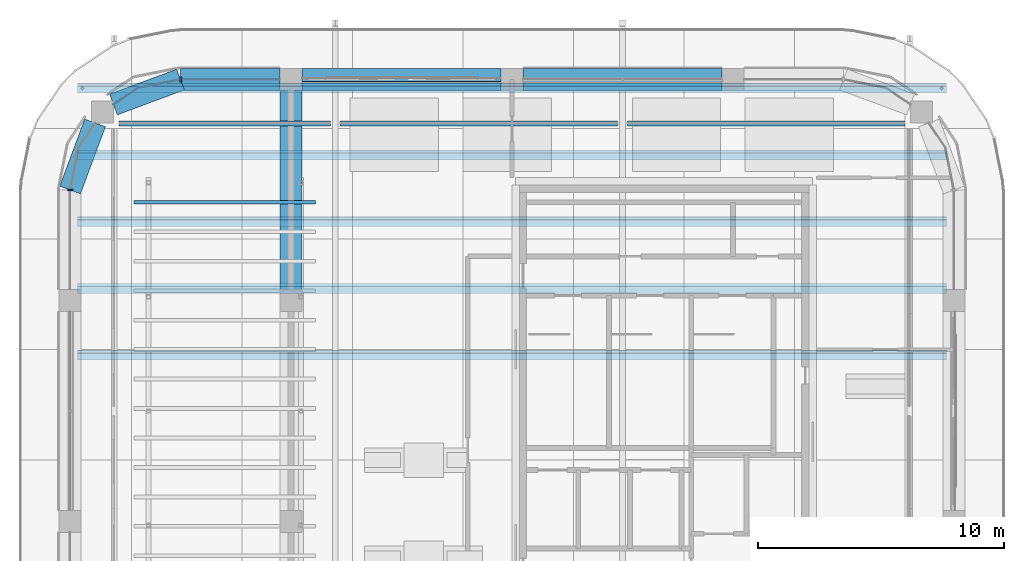
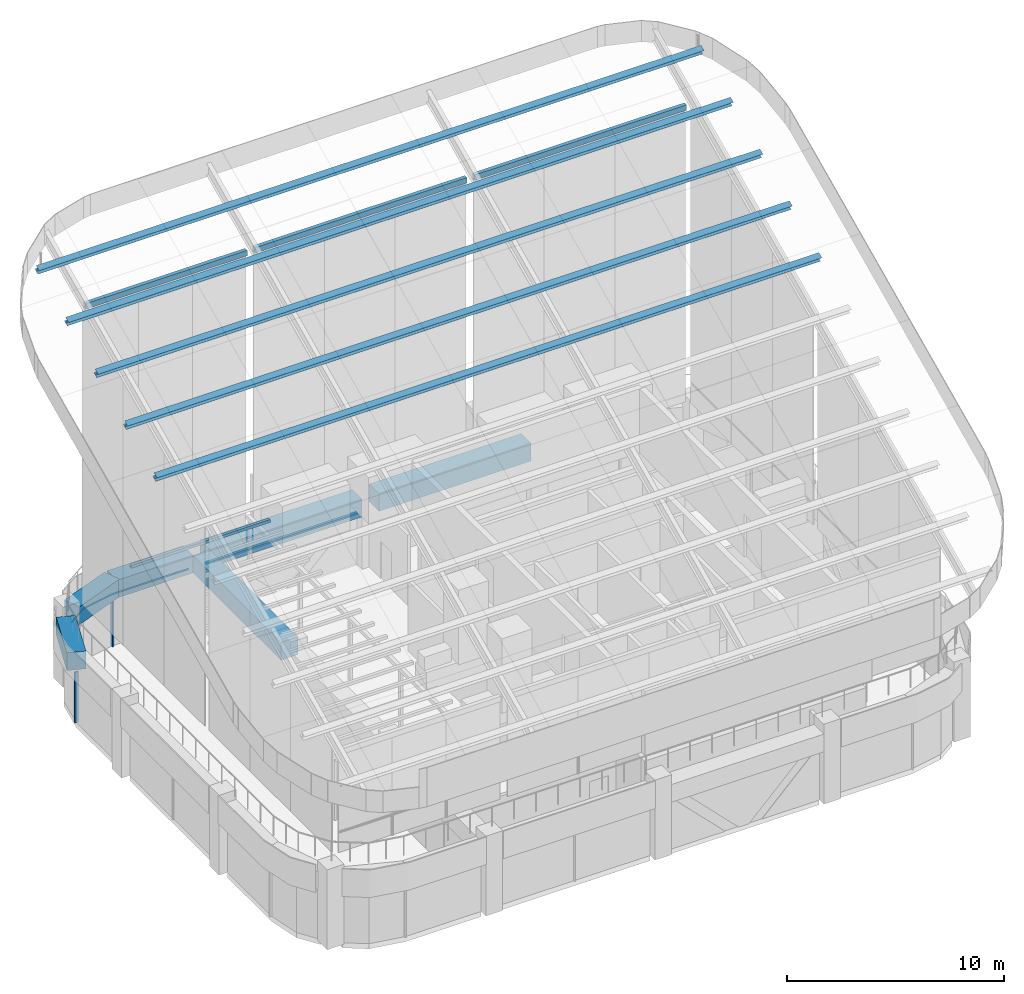
# One storey, part 15 of 31: 10 members, 9 beams, 3 elements without a shape of their own.
"""IFC4 building model written with IfcOpenShell, lengths in metres."""

from ifc_helpers import new_model, si_unit, direction, frame, origin, origin_2d, place, context, subcontext, project, spatial, polyline, rectangle, hollow_rectangle, i_section, outline, extrude, material, material_profile, profile_set, type_object, element, aggregate, save


model = new_model("IFC4")

# Units and contexts
model_context = context("Model", 3, precision=1e-05, world=origin(), true_north=direction((0.0, 1.0)))
body_context = subcontext(model_context, "Body", "Model", "MODEL_VIEW")
ifc_project = project(units=[si_unit("LENGTHUNIT", "METRE"), si_unit("AREAUNIT", "SQUARE_METRE"), si_unit("VOLUMEUNIT", "CUBIC_METRE"), si_unit("PLANEANGLEUNIT", "RADIAN"), si_unit("MASSUNIT", "GRAM", prefix="KILO")], contexts=[model_context])

# Site, building, storey
site_placement = place(None, origin())
site = spatial("IfcSite", under=ifc_project, at=site_placement, CompositionType="ELEMENT")
building_placement = place(site_placement, origin())
building = spatial("IfcBuilding", under=site, at=building_placement, Name="Tessera Arch", CompositionType="ELEMENT")
storey_placement = place(building_placement, frame((0.0, 0.0, 320.699951171875)))
storey = spatial("IfcBuildingStorey", under=building, at=storey_placement, Name="L77", CompositionType="ELEMENT", Elevation=320.699951171875)

# Curtain wall, member
ifc_material_1 = material(Name="CW2 curtain wall")
curtain_wall_type_1 = type_object("IfcCurtainWallType", Name="CW2 curtain wall", PredefinedType="NOTDEFINED", material=ifc_material_1)
curtain_wall_1_placement = place(storey_placement, origin())
curtain_wall_1 = element("IfcCurtainWall", 1, at=curtain_wall_1_placement, inside=storey, type_object=curtain_wall_type_1, Name="CW2 curtain wall N54.18/3 L77", PredefinedType="NOTDEFINED")
ifc_material_2 = material(Name="Anodised aluminium pale metal", Category="aluminium")
ifc_material_profile_1 = material_profile(ifc_material_2, rectangle(XDim=0.199951171875, YDim=0.080078125, at=origin_2d()), Name="AL 80x200")
ifc_profile_set_1 = profile_set([ifc_material_profile_1], Name="Anodised aluminium pale metal")
member_type_1 = type_object("IfcMemberType", Name="CW2 mullion", PredefinedType="MULLION", material=ifc_profile_set_1)
member_1_placement = place(storey_placement, frame((22.5, 54.0, 0.0), z_axis=(0.0, 0.0, 1.0), x_axis=(0.0, -1.0, 0.0)))
member_1 = element("IfcMember", 2, at=member_1_placement, type_object=member_type_1, Name="CW2 mullion N54.18/3 1", PredefinedType="MULLION", context=body_context, shape_type="SweptSolid", body=[
    extrude(rectangle(XDim=0.199951171875, YDim=0.080078125, at=origin_2d()), origin(), (0.0, 0.0, 1.0), 2.85009765625),
])

curtain_wall_2_placement = place(storey_placement, origin())
curtain_wall_2 = element("IfcCurtainWall", 3, at=curtain_wall_2_placement, inside=storey, type_object=curtain_wall_type_1, Name="CW2 curtain wall W18.27/0 L77", PredefinedType="NOTDEFINED")
member_2_placement = place(storey_placement, frame((18.0, 49.5, 0.0), z_axis=(0.0, 0.0, 1.0), x_axis=(1.0, 0.0, 0.0)))
member_2 = element("IfcMember", 4, at=member_2_placement, type_object=member_type_1, Name="CW2 mullion W18.27/0 1", PredefinedType="MULLION", context=body_context, shape_type="SweptSolid", body=[
    extrude(rectangle(XDim=0.199951171875, YDim=0.080078125, at=origin_2d()), origin(), (0.0, 0.0, 1.0), 2.85009765625),
])
aggregate(curtain_wall_2, [member_2])

# Member
ifc_material_3 = material(Name="Anodised aluminium pale metal", Category="aluminium")
ifc_material_profile_2 = material_profile(ifc_material_3, rectangle(XDim=0.199951171875, YDim=0.10009765625, at=origin_2d()), Name="AL 200x100")
ifc_profile_set_2 = profile_set([ifc_material_profile_2], Name="Anodised aluminium pale metal")
member_type_2 = type_object("IfcMemberType", Name="CW2 transom", PredefinedType="USERDEFINED", material=ifc_profile_set_2)
member_3_placement = place(storey_placement, frame((0.0, 0.0, 2.85009765625)))
member_3 = element("IfcMember", 5, at=member_3_placement, type_object=member_type_2, Name="CW2 transom N54.18/3 1", ObjectType="TRANSOM", PredefinedType="USERDEFINED", context=body_context, shape_type="SweptSolid", body=[
    extrude(outline(polyline([(22.5009765625, 53.989990234375), (26.550048828125, 53.989990234375), (26.550048828125, 54.010009765625), (22.4990234375, 54.010009765625), (20.77392578125, 53.6669921875), (19.762451171875, 52.990966796875), (19.7734375, 52.974365234375), (20.78173828125, 53.648193359375), (22.5009765625, 53.989990234375)])), origin(), (0.0, 0.0, 1.0), 0.099853515625),
])

aggregate(curtain_wall_1, [member_1, member_3])

# Curtain wall, member
ifc_material_4 = material(Name="CW3 curtain wall")
curtain_wall_type_2 = type_object("IfcCurtainWallType", Name="CW3 curtain wall", PredefinedType="NOTDEFINED", material=ifc_material_4)
curtain_wall_3_placement = place(storey_placement, origin())
curtain_wall_3 = element("IfcCurtainWall", 6, at=curtain_wall_3_placement, inside=storey, type_object=curtain_wall_type_2, Name="CW3 curtain wall N54.18/2 L77", PredefinedType="NOTDEFINED")
ifc_material_5 = material(Name="Anodised aluminium pale metal", Category="aluminium")
ifc_material_profile_3 = material_profile(ifc_material_5, rectangle(XDim=0.139892578125, YDim=0.10009765625, at=origin_2d()), Name="AL 140x100")
ifc_profile_set_3 = profile_set([ifc_material_profile_3], Name="Anodised aluminium pale metal")
member_type_3 = type_object("IfcMemberType", Name="CW3 transom", PredefinedType="USERDEFINED", material=ifc_profile_set_3)
member_4_placement = place(storey_placement, frame((35.550048828125, 54.0, 2.900146484375), z_axis=(-1.0, 0.0, 0.0), x_axis=(0.0, -1.0, 0.0)))
member_4 = element("IfcMember", 7, at=member_4_placement, type_object=member_type_3, Name="CW3 transom N54.18/2 1.1", ObjectType="TRANSOM", PredefinedType="USERDEFINED", context=body_context, shape_type="SweptSolid", body=[
    extrude(rectangle(XDim=0.139892578125, YDim=0.10009765625, at=origin_2d()), origin(), (0.0, 0.0, 1.0), 8.10009765625),
])
aggregate(curtain_wall_3, [member_4])

# Members
ifc_material_6 = material(Name="Steel A992 Gr50", Category="steel")
ifc_material_profile_4 = material_profile(ifc_material_6, i_section(OverallWidth=0.3046875, OverallDepth=0.307861328125, WebThickness=0.010009765625, FlangeThickness=0.015380859375, at=origin_2d()), Name="W12x65")
ifc_profile_set_4 = profile_set([ifc_material_profile_4], Name="Steel A992 Gr50")
member_type_4 = type_object("IfcMemberType", Name="Canopy purlin W12x65", PredefinedType="PURLIN", material=ifc_profile_set_4)
for number, where, z_axis, x_axis, name in (
    (8, (18.300048828125, 42.77197265625, 17.7734375), (1.0, 0.0, 0.0), (0.0, 0.906307787037, 0.422618261741), "Canopy purlin 7"),
    (9, (18.300048828125, 45.49072265625, 19.04150390625), (1.0, 0.0, 0.0), (0.0, 0.906307787037, 0.422618261741), "Canopy purlin 8"),
    (10, (18.300048828125, 48.209716796875, 20.309326171875), (1.0, 0.0, 0.0), (0.0, 0.906307787037, 0.422618261741), "Canopy purlin 9"),
    (11, (18.300048828125, 50.9287109375, 21.5771484375), (1.0, 0.0, 0.0), (0.0, 0.906307787037, 0.422618261741), "Canopy purlin 10"),
    (12, (18.300048828125, 53.6474609375, 22.844970703125), (1.0, 0.0, 0.0), (0.0, 0.906307787037, 0.422618261741), "Canopy purlin 11"),
):
    element("IfcMember", number, at=place(storey_placement, frame(where, z_axis=z_axis, x_axis=x_axis)), inside=storey, type_object=member_type_4, Name=name, PredefinedType="PURLIN", context=body_context, shape_type="SweptSolid", body=[
        extrude(i_section(OverallWidth=0.3046875, OverallDepth=0.307861328125, WebThickness=0.010009765625, FlangeThickness=0.015380859375, at=origin_2d()), origin(), (0.0, 0.0, 1.0), 35.39990234375),
    ])

# Beams
ifc_material_7 = material(Name="Steel A500 Gr C", Category="steel")
ifc_material_profile_5 = material_profile(ifc_material_7, hollow_rectangle(XDim=0.203125, YDim=0.3046875, WallThickness=0.0087890625, at=origin_2d()), Name="HSS12x8x3/8")
ifc_profile_set_5 = profile_set([ifc_material_profile_5], Name="Steel A500 Gr C")
beam_type_1 = type_object("IfcBeamType", Name="Crown ring beam HSS12x8x3/8", PredefinedType="BEAM", material=ifc_profile_set_5)
beam_1_placement = place(storey_placement, frame((20.0, 52.199951171875, 21.119873046875), z_axis=(1.0, 0.0, 0.0), x_axis=(0.0, 1.0, 0.0)))
element("IfcBeam", 13, at=beam_1_placement, inside=storey, type_object=beam_type_1, Name="Crown ring beam N4", PredefinedType="BEAM", context=body_context, shape_type="SweptSolid", body=[
    extrude(hollow_rectangle(XDim=0.203125, YDim=0.3046875, WallThickness=0.0087890625, at=origin_2d()), origin(), (0.0, 0.0, 1.0), 8.60009765625),
])
for number, where, z_axis, x_axis, name in (
    (14, (29.0, 52.199951171875, 21.119873046875), (1.0, 0.0, 0.0), (0.0, 1.0, 0.0), "Crown ring beam N5"),
    (15, (40.699951171875, 52.199951171875, 21.119873046875), (1.0, 0.0, 0.0), (0.0, 1.0, 0.0), "Crown ring beam N6"),
):
    element("IfcBeam", number, at=place(storey_placement, frame(where, z_axis=z_axis, x_axis=x_axis)), inside=storey, type_object=beam_type_1, Name=name, PredefinedType="BEAM", context=body_context, shape_type="SweptSolid", body=[
        extrude(hollow_rectangle(XDim=0.203125, YDim=0.3046875, WallThickness=0.0087890625, at=origin_2d()), origin(), (0.0, 0.0, 1.0), 11.300048828125),
    ])

# Member
ifc_material_8 = material(Name="Steel A500 Gr C", Category="steel")
ifc_material_profile_6 = material_profile(ifc_material_8, hollow_rectangle(XDim=0.15234375, YDim=0.15234375, WallThickness=0.005859375, at=origin_2d()), Name="HSS6x6x1/4")
ifc_profile_set_6 = profile_set([ifc_material_profile_6], Name="Steel A500 Gr C")
member_type_5 = type_object("IfcMemberType", Name="Pergola rafter HSS6x6x1/4", PredefinedType="RAFTER", material=ifc_profile_set_6)
member_5_placement = place(storey_placement, frame((20.60009765625, 49.0, 8.179443359375), z_axis=(1.0, 0.0, 0.0), x_axis=(0.0, 1.0, 0.0)))
element("IfcMember", 16, at=member_5_placement, inside=storey, type_object=member_type_5, Name="Pergola rafter 16", PredefinedType="RAFTER", context=body_context, shape_type="SweptSolid", body=[
    extrude(hollow_rectangle(XDim=0.15234375, YDim=0.15234375, WallThickness=0.005859375, at=origin_2d()), origin(), (0.0, 0.0, 1.0), 7.39990234375),
])

# Beams
ifc_material_9 = material(Name="Concrete C50/60", Category="concrete")
ifc_material_profile_7 = material_profile(ifc_material_9, rectangle(XDim=0.89990234375, YDim=1.0, at=origin_2d()), Name="RC spandrel beam 900 x 1000 Concrete C50/60")
ifc_profile_set_7 = profile_set([ifc_material_profile_7], Name="Concrete C50/60")
beam_type_2 = type_object("IfcBeamType", Name="RC spandrel beam 900 x 1000 Concrete C50/60", PredefinedType="BEAM", material=ifc_profile_set_7)
for number, where, z_axis, x_axis, name in (
    (17, (44.550048828125, 54.0, 3.449951171875), (-1.0, 0.0, 0.0), (0.0, -1.0, 0.0), "Spandrel beam L77 N54.18/1"),
    (18, (35.550048828125, 54.0, 3.449951171875), (-1.0, 0.0, 0.0), (0.0, -1.0, 0.0), "Spandrel beam L77 N54.18/2"),
):
    element("IfcBeam", number, at=place(storey_placement, frame(where, z_axis=z_axis, x_axis=x_axis)), inside=storey, type_object=beam_type_2, Name=name, PredefinedType="BEAM", context=body_context, shape_type="SweptSolid", body=[
        extrude(rectangle(XDim=0.89990234375, YDim=1.0, at=origin_2d()), origin(), (0.0, 0.0, 1.0), 8.10009765625),
    ])
beam_2_placement = place(storey_placement, frame((26.550048828125, 54.0, 3.449951171875), z_axis=(-1.0, 0.0, 0.0), x_axis=(0.0, -1.0, 0.0)))
element("IfcBeam", 19, at=beam_2_placement, inside=storey, type_object=beam_type_2, Name="Spandrel beam L77 N54.18/3.1", PredefinedType="BEAM", context=body_context, shape_type="SweptSolid", body=[
    extrude(rectangle(XDim=0.89990234375, YDim=1.0, at=origin_2d()), origin(), (0.0, 0.0, 1.0), 4.050048828125),
])
for number, where, z_axis, x_axis, name in (
    (20, (22.5, 54.0, 3.449951171875), (-0.937132065211, -0.348974916509, 0.0), (0.348974916509, -0.937132065211, 0.0), "Spandrel beam L77 N54.18/3.2"),
    (21, (19.017333984375, 52.23193359375, 3.449951171875), (-0.348974916509, -0.937132065211, 0.0), (0.937132065211, -0.348974916509, 0.0), "Spandrel beam L77 W18.27/0.1"),
):
    element("IfcBeam", number, at=place(storey_placement, frame(where, z_axis=z_axis, x_axis=x_axis)), inside=storey, type_object=beam_type_2, Name=name, PredefinedType="BEAM", context=body_context, shape_type="SweptSolid", body=[
        extrude(rectangle(XDim=0.89990234375, YDim=1.0, at=origin_2d()), origin(), (0.0, 0.0, 1.0), 2.915283203125),
    ])
beam_3_placement = place(storey_placement, frame((27.0, 45.449951171875, 3.449951171875), z_axis=(0.0, 1.0, 0.0), x_axis=(-1.0, 0.0, 0.0)))
element("IfcBeam", 22, at=beam_3_placement, inside=storey, type_object=beam_type_2, Name="Interface beam L77 I0C4F-C4G", PredefinedType="BEAM", context=body_context, shape_type="SweptSolid", body=[
    extrude(rectangle(XDim=0.89990234375, YDim=1.0, at=origin_2d()), origin(), (0.0, 0.0, 1.0), 8.10009765625),
])

save(model, "model.ifc")
